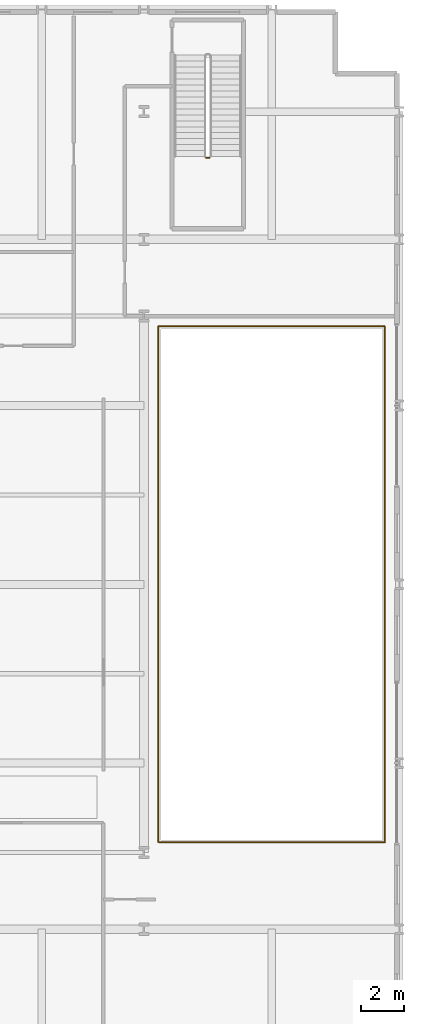
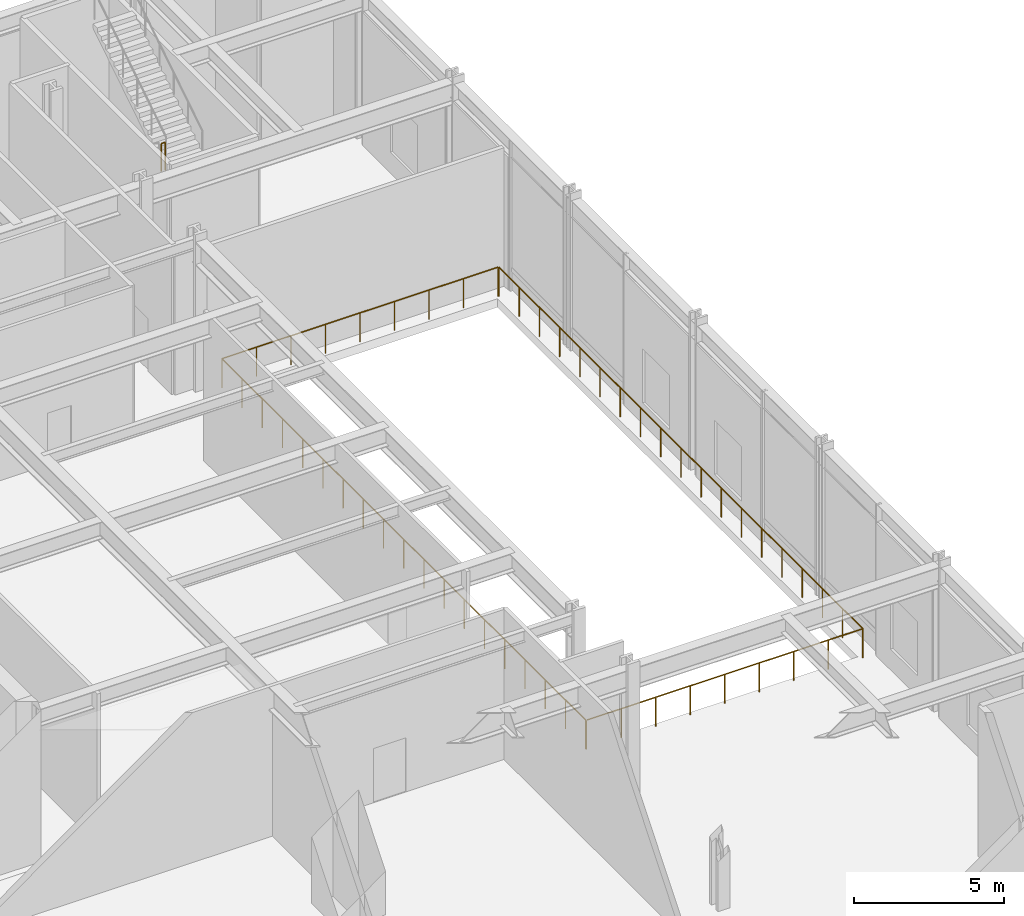
# One storey, part 19 of 20: 3 railings.
"""IFC4 building model written with IfcOpenShell, lengths in metres."""

import ifcopenshell
import ifcopenshell.guid

model = None  # the IFC model being written
_history = None  # IfcOwnerHistory: only IFC2X3 demands one
_inside = {}  # id of a spatial element -> (the spatial element, [elements in it])
_under = {}  # id of a project, library or spatial element -> (it, [spatial elements below it])
_declared = {}  # id of a project -> (the project, [libraries it declares])
_typed = {}  # id of a type object -> (the type object, [elements of that type])
_made_of = {}  # id of a material, layer set ... -> (it, [elements and type objects made of it])


def new_model(schema):
    """Start an empty IFC model of exactly this schema.

    Asked for "IFC4X3", IfcOpenShell would pick the latest addendum, in which some entities
    have other attributes; the version numbers below select the first issue.
    IFC2X3 requires an IfcOwnerHistory on every rooted entity: one is made here for all.
    """
    global model, _history
    if schema == "IFC4X3":
        model = ifcopenshell.file(schema_version=(4, 3, 0, 0))
    else:
        model = ifcopenshell.file(schema=schema)
    _inside.clear()
    _under.clear()
    _declared.clear()
    _typed.clear()
    _made_of.clear()
    _history = None
    if model.schema == "IFC2X3":
        org = make("IfcOrganization", Name="unknown")
        user = make(
            "IfcPersonAndOrganization",
            ThePerson=make("IfcPerson", FamilyName="unknown"),
            TheOrganization=org,
        )
        app = make(
            "IfcApplication",
            ApplicationDeveloper=org,
            Version="unknown",
            ApplicationFullName="unknown",
            ApplicationIdentifier="unknown",
        )
        _history = make(
            "IfcOwnerHistory",
            OwningUser=user,
            OwningApplication=app,
            ChangeAction="ADDED",
            CreationDate=0,
        )
    return model


def make(cls, **values):
    """One entity of the class cls with the attributes given. An attribute that is None is left unset."""
    return model.create_entity(
        cls, **{name: value for name, value in values.items() if value is not None}
    )


def rooted(cls, **values):
    """An entity with a GlobalId (a new one), such as an element, a storey or a relation."""
    return make(cls, GlobalId=ifcopenshell.guid.new(), OwnerHistory=_history, **values)


def si_unit(unit_type, name, prefix=None):
    """IfcSIUnit, for example si_unit("LENGTHUNIT", "METRE", prefix="MILLI")."""
    return make("IfcSIUnit", UnitType=unit_type, Prefix=prefix, Name=name)


def assignment(units):
    """IfcUnitAssignment: the units of a project."""
    return None if units is None else make("IfcUnitAssignment", Units=units)


def point(xyz):
    """IfcCartesianPoint."""
    return None if xyz is None else make("IfcCartesianPoint", Coordinates=xyz)


def direction(xyz):
    """IfcDirection."""
    return None if xyz is None else make("IfcDirection", DirectionRatios=xyz)


def frame(location, z_axis=None, x_axis=None):
    """IfcAxis2Placement3D, a coordinate frame: its origin and axes. An axis left out is left unset."""
    return make(
        "IfcAxis2Placement3D",
        Location=point(location),
        Axis=direction(z_axis),
        RefDirection=direction(x_axis),
    )


def frame_2d(location, x_axis=None):
    """IfcAxis2Placement2D, a coordinate frame in the plane: its origin and x axis."""
    return make(
        "IfcAxis2Placement2D", Location=point(location), RefDirection=direction(x_axis)
    )


def origin():
    """The frame at (0, 0, 0) with its axes left unset."""
    return frame((0.0, 0.0, 0.0))


def origin_2d():
    """The frame at (0, 0) in the plane with its x axis left unset."""
    return frame_2d((0.0, 0.0))


def place(relative_to, where):
    """IfcLocalPlacement: puts the frame where relative to a parent placement (None: the world)."""
    return make(
        "IfcLocalPlacement", PlacementRelTo=relative_to, RelativePlacement=where
    )


def context(
    kind, dimensions, precision=None, world=None, true_north=None, identifier=None
):
    """IfcGeometricRepresentationContext, for example the 3D "Model" context."""
    return make(
        "IfcGeometricRepresentationContext",
        ContextIdentifier=identifier,
        ContextType=kind,
        CoordinateSpaceDimension=dimensions,
        Precision=precision,
        WorldCoordinateSystem=world,
        TrueNorth=true_north,
    )


def subcontext(parent, identifier, kind, view, scale=None):
    """IfcGeometricRepresentationSubContext, for example "Body" below "Model"."""
    return make(
        "IfcGeometricRepresentationSubContext",
        ContextIdentifier=identifier,
        ContextType=kind,
        ParentContext=parent,
        TargetScale=scale,
        TargetView=view,
    )


def project(units=None, contexts=None):
    """IfcProject with its units and contexts."""
    return rooted(
        "IfcProject",
        Name="project",
        RepresentationContexts=contexts,
        UnitsInContext=assignment(units),
    )


def spatial(cls, under=None, at=None, **own):
    """A site, building, storey or space (cls), placed at a placement, below another one or the project."""
    s = rooted(cls, ObjectPlacement=at, **own)
    if under is not None:
        _under.setdefault(under.id(), (under, []))[1].append(s)
    return s


def profile(cls, at=None, kind="AREA", **sizes):
    """A parametric profile (cls). Its sizes go by their IFC names, for example OverallWidth=200.0."""
    return make(cls, ProfileType=kind, Position=at, **sizes)


def circle(**sizes):
    """IfcCircleProfileDef."""
    return profile("IfcCircleProfileDef", **sizes)


def extrude(swept, where, along, depth):
    """IfcExtrudedAreaSolid: the profile swept, set in the frame where, extruded along a direction by depth."""
    return make(
        "IfcExtrudedAreaSolid",
        SweptArea=swept,
        Position=where,
        ExtrudedDirection=direction(along),
        Depth=depth,
    )


def shape(context_of_items, identifier, shape_type, items):
    """IfcShapeRepresentation: the items that make up one representation, for example the "Body"."""
    return make(
        "IfcShapeRepresentation",
        ContextOfItems=context_of_items,
        RepresentationIdentifier=identifier,
        RepresentationType=shape_type,
        Items=items,
    )


def material(Name=None, Category=None):
    """IfcMaterial."""
    return make("IfcMaterial", Name=Name, Category=Category)


def made_of(thing, what):
    """Note that an element or type object is made of a material, layer set ...; save() writes the relation."""
    if what is not None:
        _made_of.setdefault(what.id(), (what, []))[1].append(thing)
    return thing


def type_object(cls, material=None, **own):
    """A type object (cls), such as IfcWallType, which elements share."""
    return made_of(rooted(cls, **own), material)


def element(
    cls,
    number,
    at=None,
    inside=None,
    cuts=None,
    type_object=None,
    material=None,
    context=None,
    identifier="Body",
    shape_type=None,
    held_by="IfcProductDefinitionShape",
    body=None,
    shapes=None,
    **own,
):
    """One element of the class cls, such as IfcWall. Its Tag is "e" and its number.

    at: its placement. inside: the storey or other place that contains it. cuts: it is an
    opening in that element (IfcRelVoidsElement). A single representation is given by context,
    identifier, shape_type and body (its items); several are given by shapes. held_by: the class
    of the entity that holds the representations. save() writes the other relations.
    """
    e = rooted(cls, Tag="e%d" % number, ObjectPlacement=at, **own)
    if body is not None:
        shapes = [shape(context, identifier, shape_type, body)]
    if shapes is not None:
        e.Representation = make(held_by, Representations=shapes)
    if inside is not None:
        _inside.setdefault(inside.id(), (inside, []))[1].append(e)
    if cuts is not None:
        rooted(
            "IfcRelVoidsElement", RelatingBuildingElement=cuts, RelatedOpeningElement=e
        )
    if type_object is not None:
        _typed.setdefault(type_object.id(), (type_object, []))[1].append(e)
    return made_of(e, material)


def aggregate(whole, parts):
    """IfcRelAggregates: a whole, such as a stair, and the parts it consists of."""
    return rooted("IfcRelAggregates", RelatingObject=whole, RelatedObjects=parts)


def save(model, path):
    """Write the relations noted so far, then the file.

    IfcRelAggregates (storeys below a building ...), IfcRelContainedInSpatialStructure (elements
    in a storey), IfcRelDefinesByType, IfcRelAssociatesMaterial and IfcRelDeclares: one each for
    every whole, place, type object, material and project.
    """
    for whole, parts in _under.values():
        aggregate(whole, parts)
    for where, things in _inside.values():
        rooted(
            "IfcRelContainedInSpatialStructure",
            RelatedElements=things,
            RelatingStructure=where,
        )
    for kind, things in _typed.values():
        rooted("IfcRelDefinesByType", RelatedObjects=things, RelatingType=kind)
    for what, things in _made_of.values():
        rooted("IfcRelAssociatesMaterial", RelatedObjects=things, RelatingMaterial=what)
    for by, libraries in _declared.values():
        rooted("IfcRelDeclares", RelatingContext=by, RelatedDefinitions=libraries)
    model.write(path)


model = new_model("IFC4")

# Units and contexts
model_context = context("Model", 3, precision=1e-05, world=origin(), true_north=direction((0.0, 1.0)))
body_context = subcontext(model_context, "Body", "Model", "MODEL_VIEW")
ifc_project = project(units=[si_unit("LENGTHUNIT", "METRE"), si_unit("AREAUNIT", "SQUARE_METRE"), si_unit("VOLUMEUNIT", "CUBIC_METRE"), si_unit("PLANEANGLEUNIT", "RADIAN"), si_unit("MASSUNIT", "GRAM", prefix="KILO")], contexts=[model_context])

# Site, building, storey
site_placement = place(None, origin())
site = spatial("IfcSite", under=ifc_project, at=site_placement, CompositionType="ELEMENT")
building_placement = place(site_placement, origin())
building = spatial("IfcBuilding", under=site, at=building_placement, Name="Drelvath Grand Hotel", CompositionType="ELEMENT")
storey_placement = place(building_placement, frame((0.0, 0.0, 10.800048828125)))
storey = spatial("IfcBuildingStorey", under=building, at=storey_placement, Name="L02", CompositionType="ELEMENT", Elevation=10.800048828125)

# Railings
ifc_material_1 = material(Name="Painted Steel S275", Category="steel")
railing_type_1 = type_object("IfcRailingType", Name="Core Stair Well Guardrail 1100", PredefinedType="GUARDRAIL", material=ifc_material_1)
railing_1_placement = place(storey_placement, frame((29.919921875, 47.0400390625, 3.199951171875)))
element("IfcRailing", 1, at=railing_1_placement, inside=storey, type_object=railing_type_1, Name="L02 ST-4 stair guard 2", PredefinedType="GUARDRAIL", context=body_context, shape_type="SweptSolid", body=[
    extrude(circle(Radius=0.02392578125, at=origin_2d()), frame((0.0, 0.0, 1.1259765625), z_axis=(1.0, 0.0, 0.0), x_axis=(0.0, 1.0, 0.0)), (0.0, 0.0, 1.0), 0.16015625),
    extrude(circle(Radius=0.02099609375, at=origin_2d()), origin(), (0.0, 0.0, 1.0), 1.101806640625),
    extrude(circle(Radius=0.02099609375, at=origin_2d()), frame((0.16015625, 0.0, 0.0)), (0.0, 0.0, 1.0), 1.101806640625),
])
ifc_material_2 = material(Name="Anodised Aluminium and Laminated Glass Balustrade", Category="aluminium")
railing_type_2 = type_object("IfcRailingType", Name="Glazed Terrace and Atrium Balustrade 1200", PredefinedType="BALUSTRADE", material=ifc_material_2)
railing_2_placement = place(storey_placement, frame((27.7041015625, 14.8798828125, 0.0)))
element("IfcRailing", 2, at=railing_2_placement, inside=storey, type_object=railing_type_2, Name="L02 Atrium Void Perimeter Balustrade A", PredefinedType="BALUSTRADE", context=body_context, shape_type="SweptSolid", body=[
    extrude(circle(Radius=0.02392578125, at=origin_2d()), frame((0.0, 0.0, 1.17578125), z_axis=(1.0, 0.0, 0.0), x_axis=(0.0, 1.0, 0.0)), (0.0, 0.0, 1.0), 10.615966796875),
    extrude(circle(Radius=0.02392578125, at=origin_2d()), frame((10.615966796875, 0.0, 1.17578125), z_axis=(0.0, 1.0, 0.0), x_axis=(-1.0, 0.0, 0.0)), (0.0, 0.0, 1.0), 24.216064453125),
    extrude(circle(Radius=0.02099609375, at=origin_2d()), origin(), (0.0, 0.0, 1.0), 1.15185546875),
    extrude(circle(Radius=0.02099609375, at=origin_2d()), frame((1.326904296875, 0.0, 0.0)), (0.0, 0.0, 1.0), 1.15185546875),
    extrude(circle(Radius=0.02099609375, at=origin_2d()), frame((2.654052734375, 0.0, 0.0)), (0.0, 0.0, 1.0), 1.15185546875),
    extrude(circle(Radius=0.02099609375, at=origin_2d()), frame((3.98095703125, 0.0, 0.0)), (0.0, 0.0, 1.0), 1.15185546875),
    extrude(circle(Radius=0.02099609375, at=origin_2d()), frame((5.30810546875, 0.0, 0.0)), (0.0, 0.0, 1.0), 1.15185546875),
    extrude(circle(Radius=0.02099609375, at=origin_2d()), frame((6.635009765625, 0.0, 0.0)), (0.0, 0.0, 1.0), 1.15185546875),
    extrude(circle(Radius=0.02099609375, at=origin_2d()), frame((7.9619140625, 0.0, 0.0)), (0.0, 0.0, 1.0), 1.15185546875),
    extrude(circle(Radius=0.02099609375, at=origin_2d()), frame((9.2890625, 0.0, 0.0)), (0.0, 0.0, 1.0), 1.15185546875),
    extrude(circle(Radius=0.02099609375, at=origin_2d()), frame((10.615966796875, 0.0, 0.0)), (0.0, 0.0, 1.0), 1.15185546875),
    extrude(circle(Radius=0.02099609375, at=origin_2d()), frame((10.615966796875, 1.34521484375, 0.0)), (0.0, 0.0, 1.0), 1.15185546875),
    extrude(circle(Radius=0.02099609375, at=origin_2d()), frame((10.615966796875, 2.690673828125, 0.0)), (0.0, 0.0, 1.0), 1.15185546875),
    extrude(circle(Radius=0.02099609375, at=origin_2d()), frame((10.615966796875, 4.0361328125, 0.0)), (0.0, 0.0, 1.0), 1.15185546875),
    extrude(circle(Radius=0.02099609375, at=origin_2d()), frame((10.615966796875, 5.38134765625, 0.0)), (0.0, 0.0, 1.0), 1.15185546875),
    extrude(circle(Radius=0.02099609375, at=origin_2d()), frame((10.615966796875, 6.7265625, 0.0)), (0.0, 0.0, 1.0), 1.15185546875),
    extrude(circle(Radius=0.02099609375, at=origin_2d()), frame((10.615966796875, 8.072021484375, 0.0)), (0.0, 0.0, 1.0), 1.15185546875),
    extrude(circle(Radius=0.02099609375, at=origin_2d()), frame((10.615966796875, 9.41748046875, 0.0)), (0.0, 0.0, 1.0), 1.15185546875),
    extrude(circle(Radius=0.02099609375, at=origin_2d()), frame((10.615966796875, 10.7626953125, 0.0)), (0.0, 0.0, 1.0), 1.15185546875),
    extrude(circle(Radius=0.02099609375, at=origin_2d()), frame((10.615966796875, 12.10791015625, 0.0)), (0.0, 0.0, 1.0), 1.15185546875),
    extrude(circle(Radius=0.02099609375, at=origin_2d()), frame((10.615966796875, 13.453369140625, 0.0)), (0.0, 0.0, 1.0), 1.15185546875),
    extrude(circle(Radius=0.02099609375, at=origin_2d()), frame((10.615966796875, 14.798828125, 0.0)), (0.0, 0.0, 1.0), 1.15185546875),
    extrude(circle(Radius=0.02099609375, at=origin_2d()), frame((10.615966796875, 16.14404296875, 0.0)), (0.0, 0.0, 1.0), 1.15185546875),
    extrude(circle(Radius=0.02099609375, at=origin_2d()), frame((10.615966796875, 17.4892578125, 0.0)), (0.0, 0.0, 1.0), 1.15185546875),
    extrude(circle(Radius=0.02099609375, at=origin_2d()), frame((10.615966796875, 18.834716796875, 0.0)), (0.0, 0.0, 1.0), 1.15185546875),
    extrude(circle(Radius=0.02099609375, at=origin_2d()), frame((10.615966796875, 20.18017578125, 0.0)), (0.0, 0.0, 1.0), 1.15185546875),
    extrude(circle(Radius=0.02099609375, at=origin_2d()), frame((10.615966796875, 21.525390625, 0.0)), (0.0, 0.0, 1.0), 1.15185546875),
    extrude(circle(Radius=0.02099609375, at=origin_2d()), frame((10.615966796875, 22.87060546875, 0.0)), (0.0, 0.0, 1.0), 1.15185546875),
    extrude(circle(Radius=0.02099609375, at=origin_2d()), frame((10.615966796875, 24.216064453125, 0.0)), (0.0, 0.0, 1.0), 1.15185546875),
])
railing_3_placement = place(storey_placement, frame((38.2958984375, 39.1201171875, 0.0)))
element("IfcRailing", 3, at=railing_3_placement, inside=storey, type_object=railing_type_2, Name="L02 Atrium Void Perimeter Balustrade B", PredefinedType="BALUSTRADE", context=body_context, shape_type="SweptSolid", body=[
    extrude(circle(Radius=0.02392578125, at=origin_2d()), frame((0.0, 0.0, 1.17578125), z_axis=(-1.0, 0.0, 0.0), x_axis=(0.0, -1.0, 0.0)), (0.0, 0.0, 1.0), 10.615966796875),
    extrude(circle(Radius=0.02392578125, at=origin_2d()), frame((-10.615966796875, 0.0, 1.17578125), z_axis=(0.0, -1.0, 0.0), x_axis=(1.0, 0.0, 0.0)), (0.0, 0.0, 1.0), 24.216064453125),
    extrude(circle(Radius=0.02099609375, at=origin_2d()), origin(), (0.0, 0.0, 1.0), 1.15185546875),
    extrude(circle(Radius=0.02099609375, at=origin_2d()), frame((-1.326904296875, 0.0, 0.0)), (0.0, 0.0, 1.0), 1.15185546875),
    extrude(circle(Radius=0.02099609375, at=origin_2d()), frame((-2.654052734375, 0.0, 0.0)), (0.0, 0.0, 1.0), 1.15185546875),
    extrude(circle(Radius=0.02099609375, at=origin_2d()), frame((-3.98095703125, 0.0, 0.0)), (0.0, 0.0, 1.0), 1.15185546875),
    extrude(circle(Radius=0.02099609375, at=origin_2d()), frame((-5.30810546875, 0.0, 0.0)), (0.0, 0.0, 1.0), 1.15185546875),
    extrude(circle(Radius=0.02099609375, at=origin_2d()), frame((-6.635009765625, 0.0, 0.0)), (0.0, 0.0, 1.0), 1.15185546875),
    extrude(circle(Radius=0.02099609375, at=origin_2d()), frame((-7.9619140625, 0.0, 0.0)), (0.0, 0.0, 1.0), 1.15185546875),
    extrude(circle(Radius=0.02099609375, at=origin_2d()), frame((-9.2890625, 0.0, 0.0)), (0.0, 0.0, 1.0), 1.15185546875),
    extrude(circle(Radius=0.02099609375, at=origin_2d()), frame((-10.615966796875, 0.0, 0.0)), (0.0, 0.0, 1.0), 1.15185546875),
    extrude(circle(Radius=0.02099609375, at=origin_2d()), frame((-10.615966796875, -1.34521484375, 0.0)), (0.0, 0.0, 1.0), 1.15185546875),
    extrude(circle(Radius=0.02099609375, at=origin_2d()), frame((-10.615966796875, -2.690673828125, 0.0)), (0.0, 0.0, 1.0), 1.15185546875),
    extrude(circle(Radius=0.02099609375, at=origin_2d()), frame((-10.615966796875, -4.0361328125, 0.0)), (0.0, 0.0, 1.0), 1.15185546875),
    extrude(circle(Radius=0.02099609375, at=origin_2d()), frame((-10.615966796875, -5.38134765625, 0.0)), (0.0, 0.0, 1.0), 1.15185546875),
    extrude(circle(Radius=0.02099609375, at=origin_2d()), frame((-10.615966796875, -6.7265625, 0.0)), (0.0, 0.0, 1.0), 1.15185546875),
    extrude(circle(Radius=0.02099609375, at=origin_2d()), frame((-10.615966796875, -8.072021484375, 0.0)), (0.0, 0.0, 1.0), 1.15185546875),
    extrude(circle(Radius=0.02099609375, at=origin_2d()), frame((-10.615966796875, -9.41748046875, 0.0)), (0.0, 0.0, 1.0), 1.15185546875),
    extrude(circle(Radius=0.02099609375, at=origin_2d()), frame((-10.615966796875, -10.7626953125, 0.0)), (0.0, 0.0, 1.0), 1.15185546875),
    extrude(circle(Radius=0.02099609375, at=origin_2d()), frame((-10.615966796875, -12.10791015625, 0.0)), (0.0, 0.0, 1.0), 1.15185546875),
    extrude(circle(Radius=0.02099609375, at=origin_2d()), frame((-10.615966796875, -13.453369140625, 0.0)), (0.0, 0.0, 1.0), 1.15185546875),
    extrude(circle(Radius=0.02099609375, at=origin_2d()), frame((-10.615966796875, -14.798828125, 0.0)), (0.0, 0.0, 1.0), 1.15185546875),
    extrude(circle(Radius=0.02099609375, at=origin_2d()), frame((-10.615966796875, -16.14404296875, 0.0)), (0.0, 0.0, 1.0), 1.15185546875),
    extrude(circle(Radius=0.02099609375, at=origin_2d()), frame((-10.615966796875, -17.4892578125, 0.0)), (0.0, 0.0, 1.0), 1.15185546875),
    extrude(circle(Radius=0.02099609375, at=origin_2d()), frame((-10.615966796875, -18.834716796875, 0.0)), (0.0, 0.0, 1.0), 1.15185546875),
    extrude(circle(Radius=0.02099609375, at=origin_2d()), frame((-10.615966796875, -20.18017578125, 0.0)), (0.0, 0.0, 1.0), 1.15185546875),
    extrude(circle(Radius=0.02099609375, at=origin_2d()), frame((-10.615966796875, -21.525390625, 0.0)), (0.0, 0.0, 1.0), 1.15185546875),
    extrude(circle(Radius=0.02099609375, at=origin_2d()), frame((-10.615966796875, -22.87060546875, 0.0)), (0.0, 0.0, 1.0), 1.15185546875),
    extrude(circle(Radius=0.02099609375, at=origin_2d()), frame((-10.615966796875, -24.216064453125, 0.0)), (0.0, 0.0, 1.0), 1.15185546875),
])

save(model, "model.ifc")
